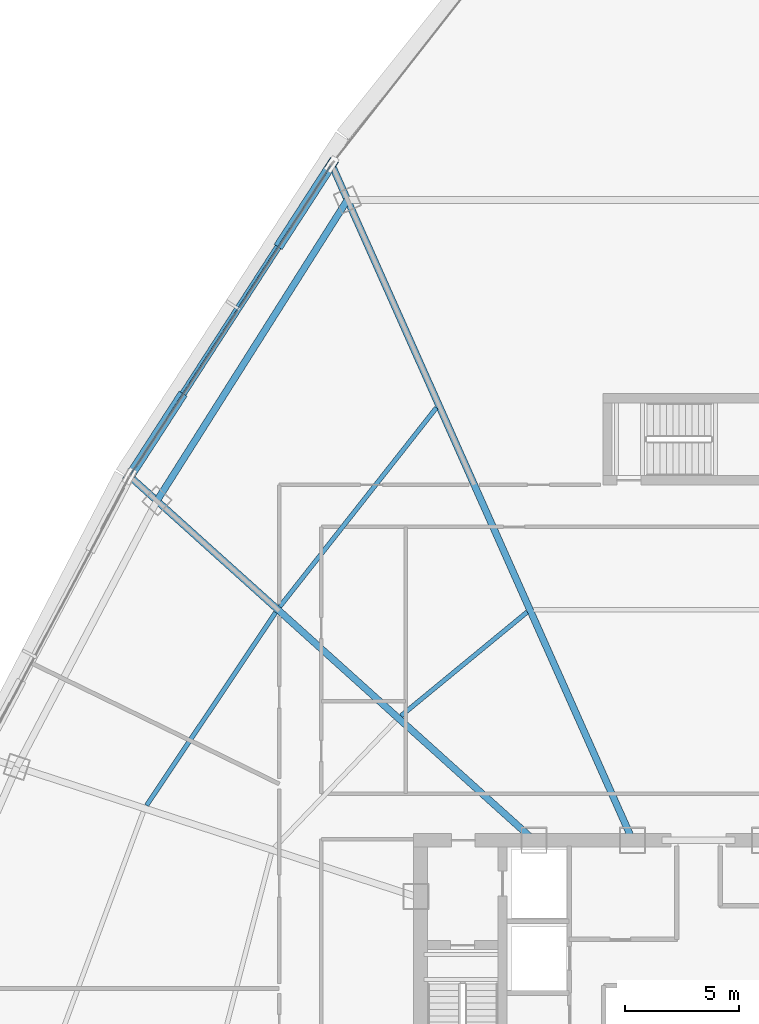
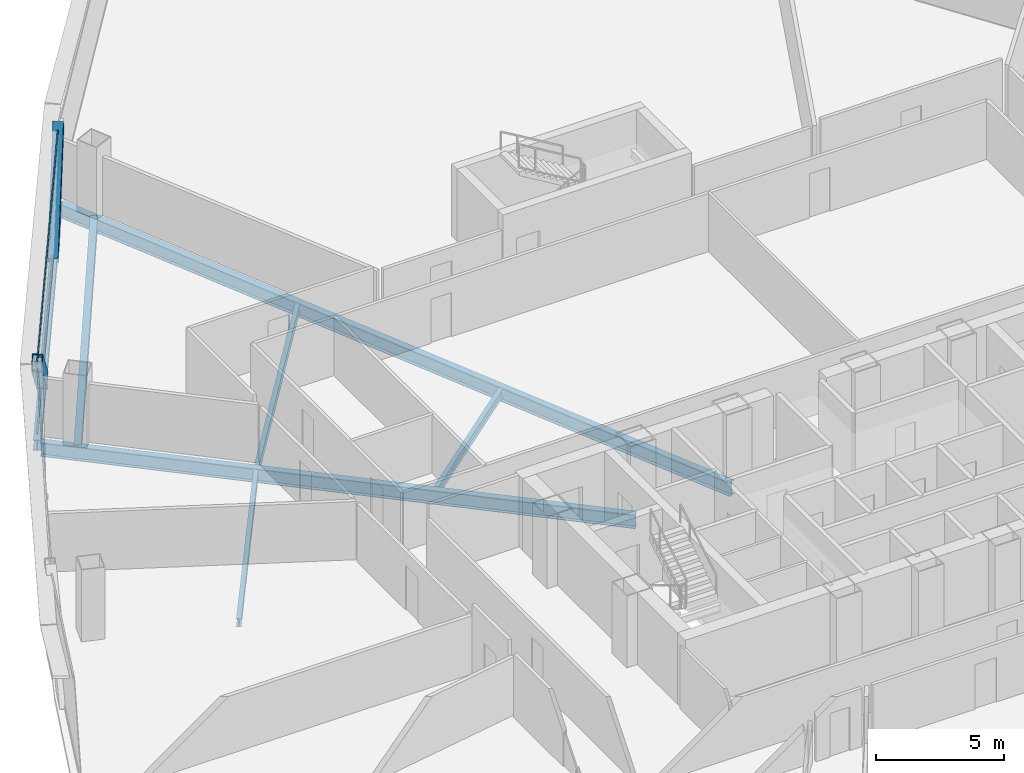
# One storey, part 17 of 39: 7 beams, 4 members, 1 element without a shape of its own.
"""IFC4 building model written with IfcOpenShell, lengths in metres."""

from ifc_helpers import new_model, si_unit, direction, frame, origin, origin_2d, place, context, subcontext, project, spatial, hollow_rectangle, i_section, extrude, source, transform, mapped, material, layer, layer_set, material_profile, profile_set, type_object, element, aggregate, save


model = new_model("IFC4")

# Units and contexts
model_context = context("Model", 3, precision=1e-05, world=origin(), true_north=direction((0.0, 1.0)))
body_context = subcontext(model_context, "Body", "Model", "MODEL_VIEW")
ifc_project = project(units=[si_unit("LENGTHUNIT", "METRE"), si_unit("AREAUNIT", "SQUARE_METRE"), si_unit("VOLUMEUNIT", "CUBIC_METRE"), si_unit("PLANEANGLEUNIT", "RADIAN"), si_unit("MASSUNIT", "GRAM", prefix="KILO"), si_unit("THERMODYNAMICTEMPERATUREUNIT", "KELVIN"), si_unit("POWERUNIT", "WATT")], contexts=[model_context])

# Site, building, storey
site_placement = place(None, origin())
site = spatial("IfcSite", under=ifc_project, at=site_placement, CompositionType="ELEMENT")
building_placement = place(site_placement, origin())
building = spatial("IfcBuilding", under=site, at=building_placement, Name="Yunzhuo Pagoda Commons", CompositionType="ELEMENT")
storey_placement = place(building_placement, frame((0.0, 0.0, 140.8701171875)))
storey = spatial("IfcBuildingStorey", under=building, at=storey_placement, Name="L35", CompositionType="ELEMENT", Elevation=140.8701171875)

# Beams
ifc_material_1 = material(Name="Structural steel Q355B", Category="steel")
ifc_material_profile_1 = material_profile(ifc_material_1, i_section(OverallWidth=0.199951171875, OverallDepth=0.39990234375, WebThickness=0.008056640625, FlangeThickness=0.012939453125, at=origin_2d()), Name="Structural steel Q355B")
ifc_profile_set_1 = profile_set([ifc_material_profile_1], Name="Structural steel Q355B")
beam_type_1 = type_object("IfcBeamType", Name="B-JS1 Joist HN 400x200x8x13", PredefinedType="JOIST", material=ifc_profile_set_1)
shared_shape_1 = source(origin(), body_context, "Body", "SweptSolid", [
    extrude(i_section(OverallWidth=0.199951171875, OverallDepth=0.39990234375, WebThickness=0.008056640625, FlangeThickness=0.012939453125, at=origin_2d()), origin(), (0.0, 0.0, 1.0), 10.186767578125),
])
beam_1_placement = place(storey_placement, frame((29.440673828125, 50.19921875, -0.460205078125), z_axis=(-0.555872145938, -0.831267801235, 0.0), x_axis=(0.831267801235, -0.555872145938, 0.0)))
element("IfcBeam", 1, at=beam_1_placement, inside=storey, type_object=beam_type_1, Name="L35 composite ring joist 2.10", PredefinedType="JOIST", context=body_context, shape_type="MappedRepresentation", body=[
    mapped(shared_shape_1, transform((0.0, 0.0, 0.0), scale=1.0)),
])
ifc_material_profile_2 = material_profile(ifc_material_1, i_section(OverallWidth=0.300048828125, OverallDepth=0.64990234375, WebThickness=0.012939453125, FlangeThickness=0.02197265625, at=origin_2d()), Name="Structural steel Q355B")
ifc_profile_set_2 = profile_set([ifc_material_profile_2], Name="Structural steel Q355B")
beam_type_2 = type_object("IfcBeamType", Name="B-RG2 Beam HN 650x300x13x22", PredefinedType="BEAM", material=ifc_profile_set_2)
shared_shape_2 = source(origin(), body_context, "Body", "SweptSolid", [
    extrude(i_section(OverallWidth=0.300048828125, OverallDepth=0.64990234375, WebThickness=0.012939453125, FlangeThickness=0.02197265625, at=origin_2d()), origin(), (0.0, 0.0, 1.0), 15.627685546875),
])
beam_2_placement = place(storey_placement, frame((32.593994140625, 68.302734375, -0.585205078125), z_axis=(-0.534952471728, -0.844882153316, 0.0), x_axis=(0.844882153316, -0.534952471728, 0.0)))
element("IfcBeam", 2, at=beam_2_placement, inside=storey, type_object=beam_type_2, Name="L35 column-ring beam 9", PredefinedType="BEAM", context=body_context, shape_type="MappedRepresentation", body=[
    mapped(shared_shape_2, transform((0.0, 0.0, 0.0), scale=1.0)),
])
shared_shape_3 = source(origin(), body_context, "Body", "SweptSolid", [
    extrude(i_section(OverallWidth=0.199951171875, OverallDepth=0.39990234375, WebThickness=0.008056640625, FlangeThickness=0.012939453125, at=origin_2d()), origin(), (0.0, 0.0, 1.0), 7.163818359375),
])
beam_3_placement = place(storey_placement, frame((40.47900390625, 50.21630859375, -0.460205078125), z_axis=(-0.772234119563, -0.635338071095, 0.0), x_axis=(0.635338071095, -0.772234119563, 0.0)))
element("IfcBeam", 3, at=beam_3_placement, inside=storey, type_object=beam_type_1, Name="L35 composite ring joist 1.9", PredefinedType="JOIST", context=body_context, shape_type="MappedRepresentation", body=[
    mapped(shared_shape_3, transform((0.0, 0.0, 0.0), scale=1.0)),
])
shared_shape_4 = source(origin(), body_context, "Body", "SweptSolid", [
    extrude(i_section(OverallWidth=0.199951171875, OverallDepth=0.39990234375, WebThickness=0.008056640625, FlangeThickness=0.012939453125, at=origin_2d()), origin(), (0.0, 0.0, 1.0), 11.109375),
])
beam_4_placement = place(storey_placement, frame((36.49951171875, 59.18505859375, -0.460205078125), z_axis=(-0.618600596935, -0.785705607382, 0.0), x_axis=(0.785705607382, -0.618600596935, 0.0)))
element("IfcBeam", 4, at=beam_4_placement, inside=storey, type_object=beam_type_1, Name="L35 composite ring joist 2.9", PredefinedType="JOIST", context=body_context, shape_type="MappedRepresentation", body=[
    mapped(shared_shape_4, transform((0.0, 0.0, 0.0), scale=1.0)),
])
shared_shape_5 = source(origin(), body_context, "Body", "SweptSolid", [
    extrude(i_section(OverallWidth=0.300048828125, OverallDepth=0.64990234375, WebThickness=0.012939453125, FlangeThickness=0.02197265625, at=origin_2d()), origin(), (0.0, 0.0, 1.0), 23.724365234375),
])
beam_5_placement = place(storey_placement, frame((23.150390625, 56.07470703125, -0.585205078125), z_axis=(0.74314317805, -0.669132436008, 0.0), x_axis=(0.669132436008, 0.74314317805, 0.0)))
element("IfcBeam", 5, at=beam_5_placement, inside=storey, type_object=beam_type_2, Name="L35 radial floor girder F3C2", PredefinedType="BEAM", context=body_context, shape_type="MappedRepresentation", body=[
    mapped(shared_shape_5, transform((0.0, 0.0, 0.0), scale=1.0)),
])
shared_shape_6 = source(origin(), body_context, "Body", "SweptSolid", [
    extrude(i_section(OverallWidth=0.300048828125, OverallDepth=0.64990234375, WebThickness=0.012939453125, FlangeThickness=0.02197265625, at=origin_2d()), origin(), (0.0, 0.0, 1.0), 32.3154296875),
])
beam_6_placement = place(storey_placement, frame((31.962158203125, 69.7216796875, -0.585205078125), z_axis=(0.406733504059, -0.913546855217, 0.0), x_axis=(0.913546855217, 0.406733504059, 0.0)))
element("IfcBeam", 6, at=beam_6_placement, inside=storey, type_object=beam_type_2, Name="L35 radial floor girder F3C1", PredefinedType="BEAM", context=body_context, shape_type="MappedRepresentation", body=[
    mapped(shared_shape_6, transform((0.0, 0.0, 0.0), scale=1.0)),
])
ifc_material_profile_3 = material_profile(ifc_material_1, i_section(OverallWidth=0.300048828125, OverallDepth=0.488037109375, WebThickness=0.010986328125, FlangeThickness=0.01806640625, at=origin_2d()), Name="Structural steel Q355B")
ifc_profile_set_3 = profile_set([ifc_material_profile_3], Name="Structural steel Q355B")
beam_type_3 = type_object("IfcBeamType", Name="B-SP1 Beam HM 488x300x11x18", PredefinedType="BEAM", material=ifc_profile_set_3)
shared_shape_7 = source(origin(), body_context, "Body", "SweptSolid", [
    extrude(i_section(OverallWidth=0.300048828125, OverallDepth=0.488037109375, WebThickness=0.010986328125, FlangeThickness=0.01806640625, at=origin_2d()), origin(), (0.0, 0.0, 1.0), 16.3046875),
])
beam_7_placement = place(storey_placement, frame((31.899169921875, 69.863037109375, -0.504150390625), z_axis=(-0.543635534305, -0.839321396034, 0.0), x_axis=(0.839321396034, -0.543635534305, 0.0)))
element("IfcBeam", 7, at=beam_7_placement, inside=storey, type_object=beam_type_3, Name="L35 facade edge spandrel beam F3.1", PredefinedType="BEAM", context=body_context, shape_type="MappedRepresentation", body=[
    mapped(shared_shape_7, transform((0.0, 0.0, 0.0), scale=1.0)),
])

# Members
ifc_material_2 = material(Name="Structural steel Q420B", Category="steel")
ifc_material_profile_4 = material_profile(ifc_material_2, hollow_rectangle(XDim=0.419921875, YDim=0.719970703125, WallThickness=0.028076171875, at=origin_2d()), Name="Structural steel Q420B")
ifc_profile_set_4 = profile_set([ifc_material_profile_4], Name="Structural steel Q420B")
member_type_1 = type_object("IfcMemberType", Name="M-DL1 Brace BOX 720x420x28", PredefinedType="BRACE", material=ifc_profile_set_4)
shared_shape_8 = source(origin(), body_context, "Body", "SweptSolid", [
    extrude(hollow_rectangle(XDim=0.419921875, YDim=0.719970703125, WallThickness=0.028076171875, at=origin_2d()), origin(), (0.0, 0.0, 1.0), 5.49169921875),
])
member_1_placement = place(storey_placement, frame((25.251220703125, 59.599609375, -0.260009765625), z_axis=(-0.403492844042, -0.623022115074, 0.670102207828), x_axis=(0.839348334956, -0.543593940921, 0.0)))
element("IfcMember", 8, at=member_1_placement, inside=storey, type_object=member_type_1, Name="L35 facade diamond brace F3.1R", PredefinedType="BRACE", context=body_context, shape_type="MappedRepresentation", body=[
    mapped(shared_shape_8, transform((0.0, 0.0, 0.0), scale=1.0)),
])
shared_shape_9 = source(origin(), body_context, "Body", "SweptSolid", [
    extrude(hollow_rectangle(XDim=0.419921875, YDim=0.719970703125, WallThickness=0.028076171875, at=origin_2d()), origin(), (0.0, 0.0, 1.0), 5.4912109375),
])
member_2_placement = place(storey_placement, frame((29.683349609375, 66.442138671875, -0.260009765625), z_axis=(0.403515196009, 0.622967708955, 0.670139328938), x_axis=(-0.839312933198, 0.543648599893, 0.0)))
element("IfcMember", 9, at=member_2_placement, inside=storey, type_object=member_type_1, Name="L35 facade diamond brace F3.1L", PredefinedType="BRACE", context=body_context, shape_type="MappedRepresentation", body=[
    mapped(shared_shape_9, transform((0.0, 0.0, 0.0), scale=1.0)),
])

# Curtain wall, members
ifc_material_3 = material(Name="Anodized aluminium 6063-T6", Category="aluminium")
ifc_layer = layer(ifc_material_3, 0.14990234375)
ifc_layer_set = layer_set([ifc_layer], Name="Anodized aluminium 6063-T6")
curtain_wall_type = type_object("IfcCurtainWallType", Name="CW-MID Mid-Zone Ribbon Curtain Wall", PredefinedType="NOTDEFINED", material=ifc_layer_set)
curtain_wall_placement = place(storey_placement, origin())
curtain_wall = element("IfcCurtainWall", 10, at=curtain_wall_placement, inside=storey, type_object=curtain_wall_type, Name="L35 curtain wall CW-L35-F3B2", PredefinedType="NOTDEFINED")
ifc_material_profile_5 = material_profile(ifc_material_3, hollow_rectangle(XDim=0.054931640625, YDim=0.1298828125, WallThickness=0.00341796875, at=origin_2d()), Name="Anodized aluminium 6063-T6")
ifc_profile_set_5 = profile_set([ifc_material_profile_5], Name="Anodized aluminium 6063-T6")
member_type_2 = type_object("IfcMemberType", Name="CW-MID-T Transom RHS 130x55x3.5", PredefinedType="USERDEFINED", material=ifc_profile_set_5)
shared_shape_10 = source(origin(), body_context, "Body", "SweptSolid", [
    extrude(hollow_rectangle(XDim=0.054931640625, YDim=0.1298828125, WallThickness=0.00341796875, at=origin_2d()), origin(), (0.0, 0.0, 1.0), 16.1845703125),
])
member_3_placement = place(storey_placement, frame((31.866455078125, 69.812744140625, 0.02734375), z_axis=(-0.543640885625, -0.839317929915, 0.0), x_axis=(0.839317929915, -0.543640885625, 0.0)))
member_3 = element("IfcMember", 11, at=member_3_placement, type_object=member_type_2, Name="CW transom 1.1", ObjectType="TRANSOM", PredefinedType="USERDEFINED", context=body_context, shape_type="MappedRepresentation", body=[
    mapped(shared_shape_10, transform((0.0, 0.0, 0.0), scale=1.0)),
])
member_4_placement = place(storey_placement, frame((31.866455078125, 69.812744140625, 3.392333984375), z_axis=(-0.543640885625, -0.839317929915, 0.0), x_axis=(0.839317929915, -0.543640885625, 0.0)))
member_4 = element("IfcMember", 12, at=member_4_placement, type_object=member_type_2, Name="CW transom 1.2", ObjectType="TRANSOM", PredefinedType="USERDEFINED", context=body_context, shape_type="MappedRepresentation", body=[
    mapped(shared_shape_10, transform((0.0, 0.0, 0.0), scale=1.0)),
])
aggregate(curtain_wall, [member_3, member_4])

save(model, "model.ifc")
